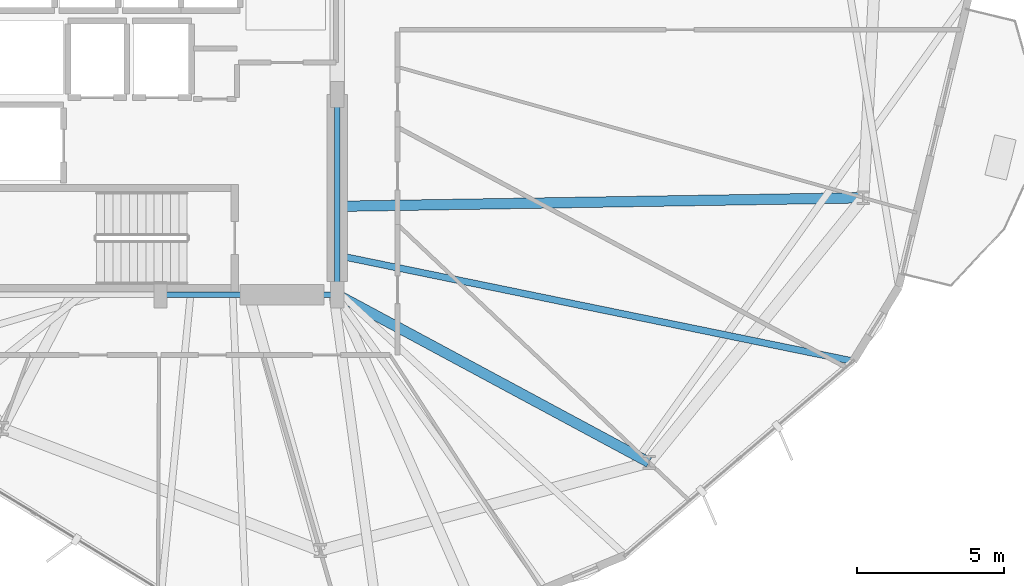
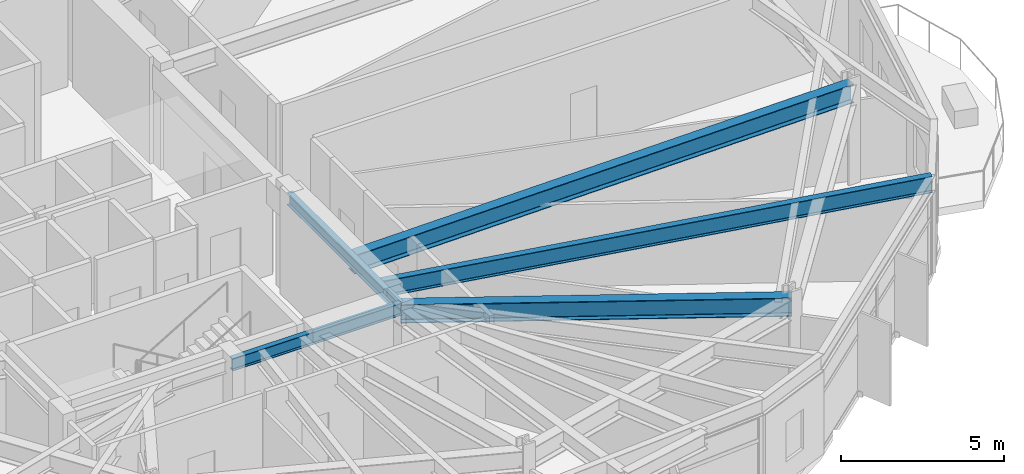
# One storey, part 6 of 22: 5 beams.
"""IFC4 building model written with IfcOpenShell, lengths in metres."""

from ifc_helpers import new_model, si_unit, direction, frame, origin, origin_2d, place, context, subcontext, project, spatial, i_section, extrude, material, material_profile, profile_set, type_object, element, save


model = new_model("IFC4")

# Units and contexts
model_context = context("Model", 3, precision=1e-05, world=origin(), true_north=direction((0.0, 1.0)))
body_context = subcontext(model_context, "Body", "Model", "MODEL_VIEW")
ifc_project = project(units=[si_unit("LENGTHUNIT", "METRE"), si_unit("AREAUNIT", "SQUARE_METRE"), si_unit("VOLUMEUNIT", "CUBIC_METRE"), si_unit("PLANEANGLEUNIT", "RADIAN"), si_unit("MASSUNIT", "GRAM", prefix="KILO")], contexts=[model_context])

# Site, building, storey
site_placement = place(None, origin())
site = spatial("IfcSite", under=ifc_project, at=site_placement, CompositionType="ELEMENT")
building_placement = place(site_placement, origin())
building = spatial("IfcBuilding", under=site, at=building_placement, Name="Soratama Intermodal Tower", CompositionType="ELEMENT")
storey_placement = place(building_placement, frame((0.0, 0.0, 50.60009765625)))
storey = spatial("IfcBuildingStorey", under=building, at=storey_placement, Name="L11", CompositionType="ELEMENT", Elevation=50.60009765625)

# Beams
ifc_material_1 = material(Name="Structural steel ASTM A992 Grade 50", Category="steel")
ifc_material_profile_1 = material_profile(ifc_material_1, i_section(OverallWidth=0.19091796875, OverallDepth=0.4599609375, WebThickness=0.010009765625, FlangeThickness=0.01611328125, FilletRadius=0.010986328125, at=origin_2d()), Name="W18X55")
ifc_profile_set_1 = profile_set([ifc_material_profile_1], Name="Structural steel ASTM A992 Grade 50")
beam_type_1 = type_object("IfcBeamType", Name="BM-FLR-W18X55", PredefinedType="BEAM", material=ifc_profile_set_1)
beam_1_placement = place(storey_placement, frame((38.60009765625, 15.0, 3.469970703125), z_axis=(1.0, 0.0, 0.0), x_axis=(0.0, 1.0, 0.0)))
element("IfcBeam", 1, at=beam_1_placement, inside=storey, type_object=beam_type_1, Name="BM-L11-CRING-02", PredefinedType="BEAM", context=body_context, shape_type="SweptSolid", body=[
    extrude(i_section(OverallWidth=0.19091796875, OverallDepth=0.4599609375, WebThickness=0.010009765625, FlangeThickness=0.01611328125, FilletRadius=0.010986328125, at=origin_2d()), origin(), (0.0, 0.0, 1.0), 6.0),
])
beam_2_placement = place(storey_placement, frame((44.60009765625, 15.0, 3.469970703125), z_axis=(0.0, 1.0, 0.0), x_axis=(-1.0, 0.0, 0.0)))
element("IfcBeam", 2, at=beam_2_placement, inside=storey, type_object=beam_type_1, Name="BM-L11-CRING-03", PredefinedType="BEAM", context=body_context, shape_type="SweptSolid", body=[
    extrude(i_section(OverallWidth=0.19091796875, OverallDepth=0.4599609375, WebThickness=0.010009765625, FlangeThickness=0.01611328125, FilletRadius=0.010986328125, at=origin_2d()), origin(), (0.0, 0.0, 1.0), 6.800048828125),
])
ifc_material_2 = material(Name="Structural steel ASTM A992 Grade 50", Category="steel")
ifc_material_profile_2 = material_profile(ifc_material_2, i_section(OverallWidth=0.35498046875, OverallDepth=0.695068359375, WebThickness=0.015380859375, FlangeThickness=0.02490234375, FilletRadius=0.01611328125, at=origin_2d()), Name="W27X146")
ifc_profile_set_2 = profile_set([ifc_material_profile_2], Name="Structural steel ASTM A992 Grade 50")
beam_type_2 = type_object("IfcBeamType", Name="BM-RING-W27X146", PredefinedType="BEAM", material=ifc_profile_set_2)
beam_3_placement = place(storey_placement, frame((44.60009765625, 15.0, 3.352294921875), z_axis=(0.880663887759, -0.473741613961, 0.0), x_axis=(0.473741613961, 0.880663887759, 0.0)))
element("IfcBeam", 3, at=beam_3_placement, inside=storey, type_object=beam_type_2, Name="BM-L11-RAD-09", PredefinedType="BEAM", context=body_context, shape_type="SweptSolid", body=[
    extrude(i_section(OverallWidth=0.35498046875, OverallDepth=0.695068359375, WebThickness=0.015380859375, FlangeThickness=0.02490234375, FilletRadius=0.01611328125, at=origin_2d()), origin(), (0.0, 0.0, 1.0), 12.03173828125),
])
beam_4_placement = place(storey_placement, frame((44.60009765625, 18.0, 3.352294921875), z_axis=(0.999867526408, 0.016276659176, 0.0), x_axis=(-0.016276659176, 0.999867526408, 0.0)))
element("IfcBeam", 4, at=beam_4_placement, inside=storey, type_object=beam_type_2, Name="BM-L11-RAD-10", PredefinedType="BEAM", context=body_context, shape_type="SweptSolid", body=[
    extrude(i_section(OverallWidth=0.35498046875, OverallDepth=0.695068359375, WebThickness=0.015380859375, FlangeThickness=0.02490234375, FilletRadius=0.01611328125, at=origin_2d()), origin(), (0.0, 0.0, 1.0), 17.87939453125),
])
ifc_material_3 = material(Name="Structural steel ASTM A992 Grade 50", Category="steel")
ifc_material_profile_3 = material_profile(ifc_material_3, i_section(OverallWidth=0.22900390625, OverallDepth=0.612060546875, WebThickness=0.011962890625, FlangeThickness=0.01953125, FilletRadius=0.012939453125, at=origin_2d()), Name="W24X84")
ifc_profile_set_3 = profile_set([ifc_material_profile_3], Name="Structural steel ASTM A992 Grade 50")
beam_type_3 = type_object("IfcBeamType", Name="BM-TIE-W24X84", PredefinedType="BEAM", material=ifc_profile_set_3)
beam_5_placement = place(storey_placement, frame((44.638916015625, 16.327880859375, 3.393798828125), z_axis=(0.979578952253, -0.201059882381, 0.0), x_axis=(0.201059882381, 0.979578952253, 0.0)))
element("IfcBeam", 5, at=beam_5_placement, inside=storey, type_object=beam_type_3, Name="BM-L11-TIE1-09", PredefinedType="BEAM", context=body_context, shape_type="SweptSolid", body=[
    extrude(i_section(OverallWidth=0.22900390625, OverallDepth=0.612060546875, WebThickness=0.011962890625, FlangeThickness=0.01953125, FilletRadius=0.012939453125, at=origin_2d()), origin(), (0.0, 0.0, 1.0), 17.8544921875),
])

save(model, "model.ifc")
